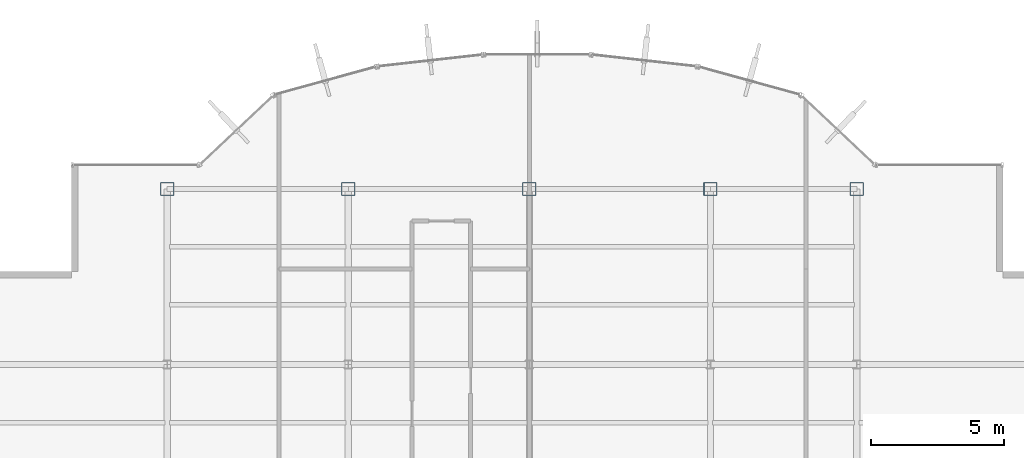
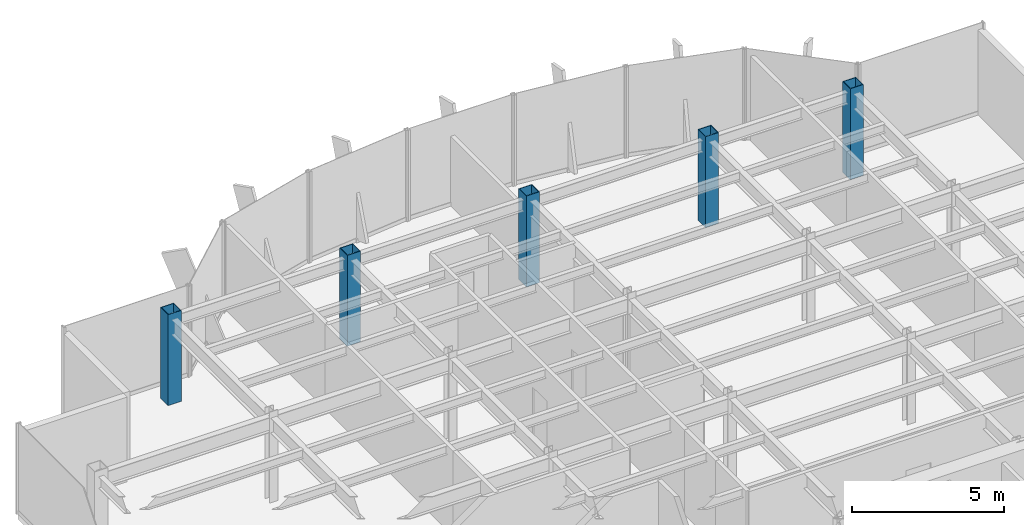
# One storey, part 2 of 22: 5 columns.
"""IFC4 building model written with IfcOpenShell, lengths in metres."""

from ifc_helpers import new_model, si_unit, derived_unit, direction, frame, origin, origin_2d, place, context, subcontext, project, spatial, hollow_rectangle, extrude, source, transform, mapped, material, material_profile, profile_set, type_object, element, save


model = new_model("IFC4")

# Units and contexts
model_context = context("Model", 3, precision=1e-05, world=origin(), true_north=direction((0.0, 1.0)))
body_context = subcontext(model_context, "Body", "Model", "MODEL_VIEW")
ifc_project = project(units=[si_unit("LENGTHUNIT", "METRE"), si_unit("AREAUNIT", "SQUARE_METRE"), si_unit("VOLUMEUNIT", "CUBIC_METRE"), si_unit("PLANEANGLEUNIT", "RADIAN"), si_unit("MASSUNIT", "GRAM", prefix="KILO"), derived_unit("THERMALTRANSMITTANCEUNIT", [(si_unit("POWERUNIT", "WATT"), 1), (si_unit("LENGTHUNIT", "METRE"), -2), (si_unit("THERMODYNAMICTEMPERATUREUNIT", "KELVIN"), -1)])], contexts=[model_context])

# Site, building, storey
site_placement = place(None, origin())
site = spatial("IfcSite", under=ifc_project, at=site_placement, CompositionType="ELEMENT")
building_placement = place(site_placement, origin())
building = spatial("IfcBuilding", under=site, at=building_placement, Name="Skarnbrae Concourse Arena and Tower", CompositionType="ELEMENT")
storey_placement = place(building_placement, frame((0.0, 0.0, 228.75)))
storey = spatial("IfcBuildingStorey", under=building, at=storey_placement, Name="L59", CompositionType="ELEMENT", Elevation=228.75)

# Columns
ifc_material = material(Name="Steel CSA G40.21 350W", Category="steel")
ifc_material_profile = material_profile(ifc_material, hollow_rectangle(XDim=0.5, YDim=0.5, WallThickness=0.02197265625, at=origin_2d()), Name="HSS500X500X22.0")
ifc_profile_set = profile_set([ifc_material_profile], Name="Steel CSA G40.21 350W")
column_type = type_object("IfcColumnType", Name="COL-TUBE-HSS500", PredefinedType="COLUMN", material=ifc_profile_set)
shared_shape = source(origin(), body_context, "Body", "SweptSolid", [
    extrude(hollow_rectangle(XDim=0.5, YDim=0.5, WallThickness=0.02197265625, at=origin_2d()), origin(), (0.0, 0.0, 1.0), 3.64990234375),
])
for number, where, z_axis, x_axis, name in (
    (1, (7.60009765625, 34.39990234375, 0.0), (0.0, 0.0, 1.0), (1.0, 0.0, 0.0), "L59 Tower column PC_02_05"),
    (2, (14.39990234375, 34.39990234375, 0.0), (0.0, 0.0, 1.0), (1.0, 0.0, 0.0), "L59 Tower column PC_03_05"),
    (3, (21.199951171875, 34.39990234375, 0.0), (0.0, 0.0, 1.0), (1.0, 0.0, 0.0), "L59 Tower column PC_04_05"),
    (4, (28.0, 34.39990234375, 0.0), (0.0, 0.0, 1.0), (1.0, 0.0, 0.0), "L59 Tower column PC_05_05"),
    (5, (33.5, 34.39990234375, 0.0), (0.0, 0.0, 1.0), (1.0, 0.0, 0.0), "L59 Tower column PC_06_05"),
):
    element("IfcColumn", number, at=place(storey_placement, frame(where, z_axis=z_axis, x_axis=x_axis)), inside=storey, type_object=column_type, Name=name, PredefinedType="COLUMN", context=body_context, shape_type="MappedRepresentation", body=[
        mapped(shared_shape, transform((0.0, 0.0, 0.0))),
    ])

save(model, "model.ifc")
